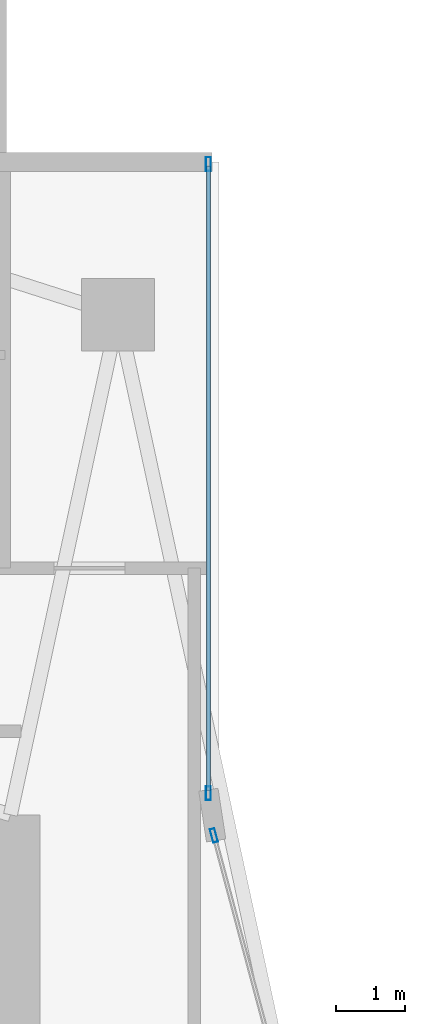
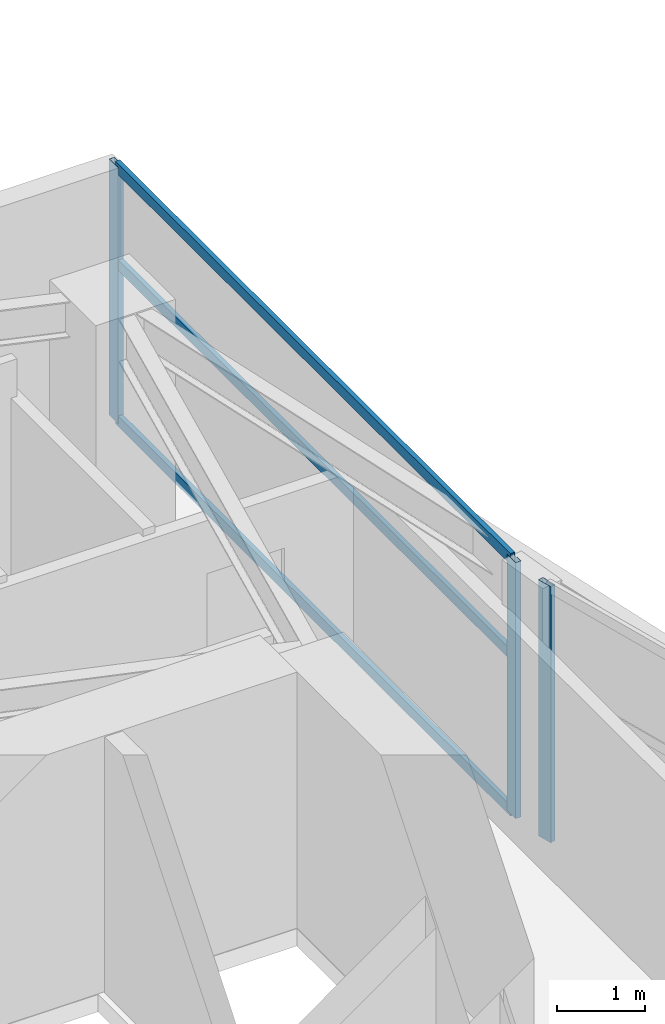
# One storey, part 18 of 29: 6 members, 2 elements without a shape of their own.
"""IFC4 building model written with IfcOpenShell, lengths in metres."""

from ifc_helpers import new_model, si_unit, direction, frame, origin, origin_2d, place, context, subcontext, project, spatial, hollow_rectangle, extrude, material, layer, layer_set, material_profile, profile_set, type_object, element, aggregate, save


model = new_model("IFC4")

# Units and contexts
model_context = context("Model", 3, precision=1e-05, world=origin(), true_north=direction((0.0, 1.0)))
body_context = subcontext(model_context, "Body", "Model", "MODEL_VIEW")
ifc_project = project(units=[si_unit("LENGTHUNIT", "METRE"), si_unit("AREAUNIT", "SQUARE_METRE"), si_unit("VOLUMEUNIT", "CUBIC_METRE"), si_unit("PLANEANGLEUNIT", "RADIAN"), si_unit("MASSUNIT", "GRAM", prefix="KILO")], contexts=[model_context])

# Site, building, storey
site_placement = place(None, origin())
site = spatial("IfcSite", under=ifc_project, at=site_placement, CompositionType="ELEMENT")
building_placement = place(site_placement, origin())
building = spatial("IfcBuilding", under=site, at=building_placement, Name="Calvorn Quay Hotel", CompositionType="ELEMENT")
storey_placement = place(building_placement, frame((0.0, 0.0, 175.10009765625)))
storey = spatial("IfcBuildingStorey", under=building, at=storey_placement, Name="L43", CompositionType="ELEMENT", Elevation=175.10009765625)

# Curtain wall, member
ifc_material_1 = material(Name="Pale Anodised Aluminium and Low-E Glass", Category="aluminium")
ifc_layer = layer(ifc_material_1, 0.219970703125)
ifc_layer_set = layer_set([ifc_layer], Name="CW-SYS-Z2")
curtain_wall_type = type_object("IfcCurtainWallType", Name="CW-SYS-Z2", PredefinedType="NOTDEFINED", material=ifc_layer_set)
curtain_wall_1_placement = place(storey_placement, origin())
curtain_wall_1 = element("IfcCurtainWall", 1, at=curtain_wall_1_placement, inside=storey, type_object=curtain_wall_type, Name="Inner Court Curtain Wall L43-IC1", PredefinedType="NOTDEFINED")
ifc_material_2 = material(Name="Pale Anodised Aluminium 6063-T6", Category="aluminium")
ifc_material_profile_1 = material_profile(ifc_material_2, hollow_rectangle(XDim=0.070068359375, YDim=0.199951171875, WallThickness=0.00390625, at=origin_2d()), Name="ALU-M200x70x4")
ifc_profile_set_1 = profile_set([ifc_material_profile_1], Name="Pale Anodised Aluminium 6063-T6")
member_type_1 = type_object("IfcMemberType", Name="CW-SYS-Z2-MUL", PredefinedType="MULLION", material=ifc_profile_set_1)
member_1_placement = place(storey_placement, frame((17.9296875, 38.10107421875, 0.0), z_axis=(0.0, 0.0, 1.0), x_axis=(-0.96593652056, -0.25877913024, 0.0)))
member_1 = element("IfcMember", 2, at=member_1_placement, type_object=member_type_1, Name="CW-L43-IC1 mullion 2", PredefinedType="MULLION", context=body_context, shape_type="SweptSolid", body=[
    extrude(hollow_rectangle(XDim=0.070068359375, YDim=0.199951171875, WallThickness=0.00390625, at=origin_2d()), origin(), (0.0, 0.0, 1.0), 3.559814453125),
])
aggregate(curtain_wall_1, [member_1])

# Curtain wall, members
curtain_wall_2_placement = place(storey_placement, origin())
curtain_wall_2 = element("IfcCurtainWall", 3, at=curtain_wall_2_placement, inside=storey, type_object=curtain_wall_type, Name="Inner Court Curtain Wall L43-IC2", PredefinedType="NOTDEFINED")
member_2_placement = place(storey_placement, frame((17.85009765625, 38.7099609375, 0.0), z_axis=(0.0, 0.0, 1.0), x_axis=(-1.0, 0.0, 0.0)))
member_2 = element("IfcMember", 4, at=member_2_placement, type_object=member_type_1, Name="CW-L43-IC2 mullion 1", PredefinedType="MULLION", context=body_context, shape_type="SweptSolid", body=[
    extrude(hollow_rectangle(XDim=0.070068359375, YDim=0.199951171875, WallThickness=0.00390625, at=origin_2d()), origin(), (0.0, 0.0, 1.0), 3.559814453125),
])
member_3_placement = place(storey_placement, frame((17.85009765625, 47.77001953125, 0.0), z_axis=(0.0, 0.0, 1.0), x_axis=(-1.0, 0.0, 0.0)))
member_3 = element("IfcMember", 5, at=member_3_placement, type_object=member_type_1, Name="CW-L43-IC2 mullion 2", PredefinedType="MULLION", context=body_context, shape_type="SweptSolid", body=[
    extrude(hollow_rectangle(XDim=0.070068359375, YDim=0.199951171875, WallThickness=0.00390625, at=origin_2d()), origin(), (0.0, 0.0, 1.0), 3.559814453125),
])
ifc_material_3 = material(Name="Pale Anodised Aluminium 6063-T6", Category="aluminium")
ifc_material_profile_2 = material_profile(ifc_material_3, hollow_rectangle(XDim=0.06005859375, YDim=0.14990234375, WallThickness=0.00341796875, at=origin_2d()), Name="ALU-T150x60x3.5")
ifc_profile_set_2 = profile_set([ifc_material_profile_2], Name="Pale Anodised Aluminium 6063-T6")
member_type_2 = type_object("IfcMemberType", Name="CW-SYS-Z2-TRN", PredefinedType="USERDEFINED", material=ifc_profile_set_2)
member_4_placement = place(storey_placement, frame((17.85009765625, 38.739990234375, 0.02978515625), z_axis=(0.0, 1.0, 0.0), x_axis=(-1.0, 0.0, 0.0)))
member_4 = element("IfcMember", 6, at=member_4_placement, type_object=member_type_2, Name="CW-L43-IC2 transom 1.1", ObjectType="TRANSOM", PredefinedType="USERDEFINED", context=body_context, shape_type="SweptSolid", body=[
    extrude(hollow_rectangle(XDim=0.06005859375, YDim=0.14990234375, WallThickness=0.00341796875, at=origin_2d()), origin(), (0.0, 0.0, 1.0), 9.0),
])
member_5_placement = place(storey_placement, frame((17.85009765625, 38.739990234375, 2.199951171875), z_axis=(0.0, 1.0, 0.0), x_axis=(-1.0, 0.0, 0.0)))
member_5 = element("IfcMember", 7, at=member_5_placement, type_object=member_type_2, Name="CW-L43-IC2 transom 1.2", ObjectType="TRANSOM", PredefinedType="USERDEFINED", context=body_context, shape_type="SweptSolid", body=[
    extrude(hollow_rectangle(XDim=0.06005859375, YDim=0.14990234375, WallThickness=0.00341796875, at=origin_2d()), origin(), (0.0, 0.0, 1.0), 9.0),
])
member_6_placement = place(storey_placement, frame((17.85009765625, 38.739990234375, 3.52978515625), z_axis=(0.0, 1.0, 0.0), x_axis=(-1.0, 0.0, 0.0)))
member_6 = element("IfcMember", 8, at=member_6_placement, type_object=member_type_2, Name="CW-L43-IC2 transom 1.3", ObjectType="TRANSOM", PredefinedType="USERDEFINED", context=body_context, shape_type="SweptSolid", body=[
    extrude(hollow_rectangle(XDim=0.06005859375, YDim=0.14990234375, WallThickness=0.00341796875, at=origin_2d()), origin(), (0.0, 0.0, 1.0), 9.0),
])
aggregate(curtain_wall_2, [member_2, member_3, member_4, member_5, member_6])

save(model, "model.ifc")
